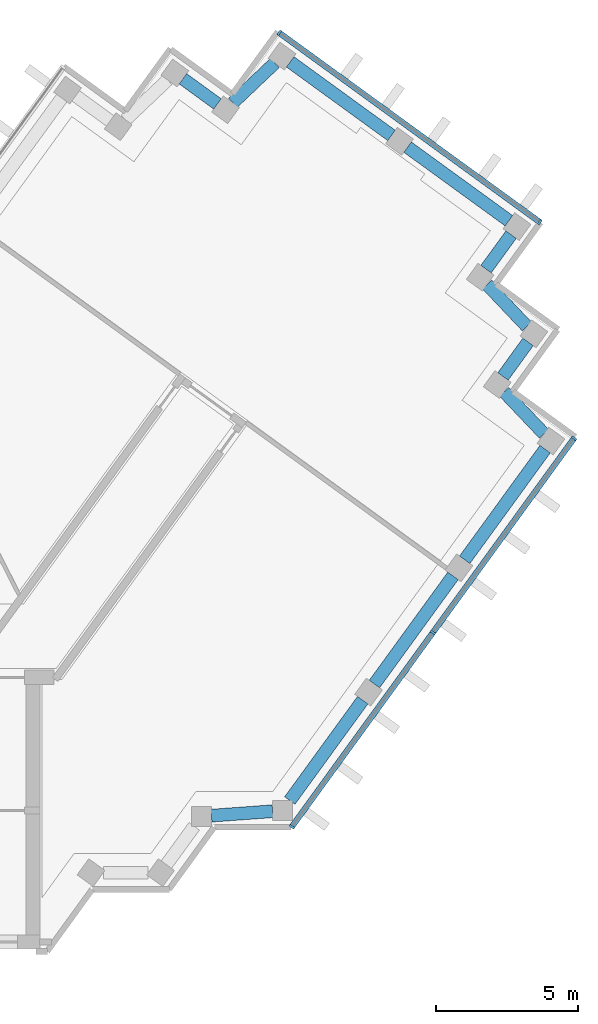
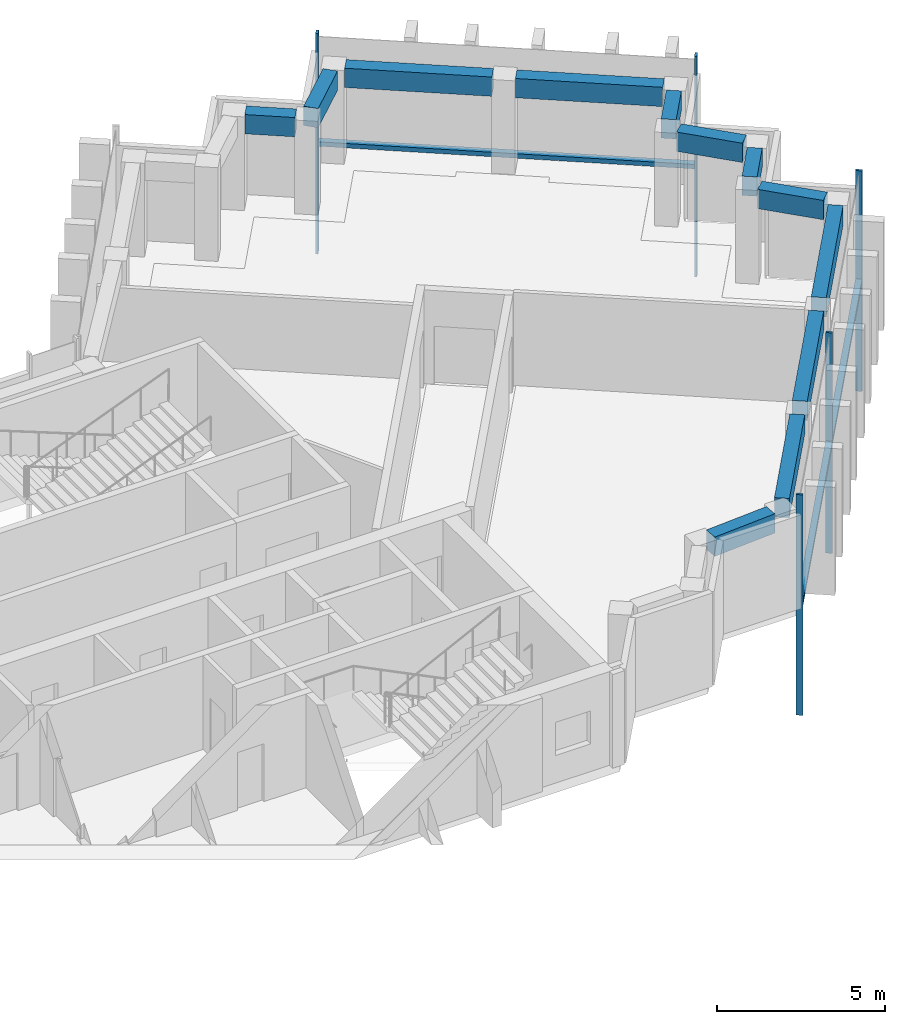
# One storey, part 6 of 13: 12 beams, 8 members, 2 elements without a shape of their own.
"""IFC4 building model written with IfcOpenShell, lengths in metres."""

from ifc_helpers import new_model, si_unit, direction, frame, origin, origin_2d, place, context, subcontext, project, spatial, rectangle, extrude, material, material_profile, profile_set, type_object, element, aggregate, save


model = new_model("IFC4")

# Units and contexts
model_context = context("Model", 3, precision=1e-05, world=origin(), true_north=direction((0.0, 1.0)))
body_context = subcontext(model_context, "Body", "Model", "MODEL_VIEW")
ifc_project = project(units=[si_unit("LENGTHUNIT", "METRE"), si_unit("AREAUNIT", "SQUARE_METRE"), si_unit("VOLUMEUNIT", "CUBIC_METRE"), si_unit("PLANEANGLEUNIT", "RADIAN"), si_unit("MASSUNIT", "GRAM", prefix="KILO")], contexts=[model_context])

# Site, building, storey
site_placement = place(None, origin())
site = spatial("IfcSite", under=ifc_project, at=site_placement, CompositionType="ELEMENT")
building_placement = place(site_placement, origin())
building = spatial("IfcBuilding", under=site, at=building_placement, Name="Quipu Civic Tower", CompositionType="ELEMENT")
storey_placement = place(building_placement, frame((0.0, 0.0, 297.0)))
storey = spatial("IfcBuildingStorey", under=building, at=storey_placement, Name="L69", CompositionType="ELEMENT", Elevation=297.0)

# Curtain wall, members
ifc_material_1 = material(Name="Insulated glass unit", Category="glass")
curtain_wall_type = type_object("IfcCurtainWallType", Name="Office curtain wall CW1", PredefinedType="NOTDEFINED", material=ifc_material_1)
curtain_wall_1_placement = place(storey_placement, origin())
curtain_wall_1 = element("IfcCurtainWall", 1, at=curtain_wall_1_placement, inside=storey, type_object=curtain_wall_type, Name="Office curtain wall CW1 L68 run 23", PredefinedType="NOTDEFINED")
ifc_material_2 = material(Name="Anodised aluminium", Category="aluminium")
ifc_material_profile_1 = material_profile(ifc_material_2, rectangle(XDim=0.199951171875, YDim=0.080078125, at=origin_2d()), Name="RECT 200x80")
ifc_profile_set_1 = profile_set([ifc_material_profile_1], Name="Anodised aluminium")
member_type_1 = type_object("IfcMemberType", Name="Mullion CW1", PredefinedType="MULLION", material=ifc_profile_set_1)
member_1_placement = place(storey_placement, frame((28.853271484375, -6.698974609375, -3.919921875), z_axis=(0.0, 0.0, 1.0), x_axis=(-0.809016278475, 0.587786237643, 0.0)))
member_1 = element("IfcMember", 2, at=member_1_placement, type_object=member_type_1, Name="CW1 mullion 1", PredefinedType="MULLION", context=body_context, shape_type="SweptSolid", body=[
    extrude(rectangle(XDim=0.199951171875, YDim=0.080078125, at=origin_2d()), origin(), (0.0, 0.0, 1.0), 8.0),
])
member_2_placement = place(storey_placement, frame((33.81298828125, 0.12744140625, -3.919921875), z_axis=(0.0, 0.0, 1.0), x_axis=(-0.809016278475, 0.587786237643, 0.0)))
member_2 = element("IfcMember", 3, at=member_2_placement, type_object=member_type_1, Name="CW1 mullion 2", PredefinedType="MULLION", context=body_context, shape_type="SweptSolid", body=[
    extrude(rectangle(XDim=0.199951171875, YDim=0.080078125, at=origin_2d()), origin(), (0.0, 0.0, 1.0), 8.0),
])
member_3_placement = place(storey_placement, frame((38.772705078125, 6.953857421875, -3.919921875), z_axis=(0.0, 0.0, 1.0), x_axis=(-0.809016278475, 0.587786237643, 0.0)))
member_3 = element("IfcMember", 4, at=member_3_placement, type_object=member_type_1, Name="CW1 mullion 3", PredefinedType="MULLION", context=body_context, shape_type="SweptSolid", body=[
    extrude(rectangle(XDim=0.199951171875, YDim=0.080078125, at=origin_2d()), origin(), (0.0, 0.0, 1.0), 8.0),
])

curtain_wall_2_placement = place(storey_placement, origin())
curtain_wall_2 = element("IfcCurtainWall", 5, at=curtain_wall_2_placement, inside=storey, type_object=curtain_wall_type, Name="Office curtain wall CW1 L68 run 28", PredefinedType="NOTDEFINED")
member_4_placement = place(storey_placement, frame((37.569091796875, 14.552490234375, -3.919921875), z_axis=(0.0, 0.0, 1.0), x_axis=(-0.587787753918, -0.809015176832, 0.0)))
member_4 = element("IfcMember", 6, at=member_4_placement, type_object=member_type_1, Name="CW1 mullion 1", PredefinedType="MULLION", context=body_context, shape_type="SweptSolid", body=[
    extrude(rectangle(XDim=0.199951171875, YDim=0.080078125, at=origin_2d()), origin(), (0.0, 0.0, 1.0), 8.0),
])
member_5_placement = place(storey_placement, frame((28.4111328125, 21.206298828125, -3.919921875), z_axis=(0.0, 0.0, 1.0), x_axis=(-0.587787753918, -0.809015176832, 0.0)))
member_5 = element("IfcMember", 7, at=member_5_placement, type_object=member_type_1, Name="CW1 mullion 2", PredefinedType="MULLION", context=body_context, shape_type="SweptSolid", body=[
    extrude(rectangle(XDim=0.199951171875, YDim=0.080078125, at=origin_2d()), origin(), (0.0, 0.0, 1.0), 8.0),
])

# Beams
ifc_material_3 = material(Name="Concrete C50/60", Category="concrete")
ifc_material_profile_2 = material_profile(ifc_material_3, rectangle(XDim=0.449951171875, YDim=0.699951171875, at=origin_2d()), Name="RC450x700")
ifc_profile_set_2 = profile_set([ifc_material_profile_2], Name="Concrete C50/60")
beam_type = type_object("IfcBeamType", Name="Spandrel beam RC 450x700 C50/60", PredefinedType="SPANDREL", material=ifc_profile_set_2)
beam_1_placement = place(storey_placement, frame((26.0244140625, -6.3115234375, 3.050048828125), z_axis=(0.997379352029, 0.072349347934, 0.0), x_axis=(-0.072349347934, 0.997379352029, 0.0)))
element("IfcBeam", 8, at=beam_1_placement, inside=storey, type_object=beam_type, Name="Spandrel beam L69 J-Eo.3 to J-Eo.4", PredefinedType="SPANDREL", context=body_context, shape_type="SweptSolid", body=[
    extrude(rectangle(XDim=0.449951171875, YDim=0.699951171875, at=origin_2d()), origin(), (0.0, 0.0, 1.0), 2.15625),
])
beam_2_placement = place(storey_placement, frame((28.779296875, -5.780029296875, 3.050048828125), z_axis=(0.58777550284, 0.809024077677, 0.0), x_axis=(-0.809024077677, 0.58777550284, 0.0)))
element("IfcBeam", 9, at=beam_2_placement, inside=storey, type_object=beam_type, Name="Spandrel beam L69 J-Eo.4 to E-OUT-01", PredefinedType="SPANDREL", context=body_context, shape_type="SweptSolid", body=[
    extrude(rectangle(XDim=0.449951171875, YDim=0.699951171875, at=origin_2d()), origin(), (0.0, 0.0, 1.0), 4.36083984375),
])
beam_3_placement = place(storey_placement, frame((31.75390625, -1.685546875, 3.050048828125), z_axis=(0.587788656305, 0.809014521204, 0.0), x_axis=(-0.809014521204, 0.587788656305, 0.0)))
element("IfcBeam", 10, at=beam_3_placement, inside=storey, type_object=beam_type, Name="Spandrel beam L69 E-OUT-01 to E-OUT-02", PredefinedType="SPANDREL", context=body_context, shape_type="SweptSolid", body=[
    extrude(rectangle(XDim=0.449951171875, YDim=0.699951171875, at=origin_2d()), origin(), (0.0, 0.0, 1.0), 4.7001953125),
])
beam_4_placement = place(storey_placement, frame((34.927978515625, 2.68310546875, 3.050048828125), z_axis=(0.587905928359, 0.808929304328, 0.0), x_axis=(-0.808929304328, 0.587905928359, 0.0)))
element("IfcBeam", 11, at=beam_4_placement, inside=storey, type_object=beam_type, Name="Spandrel beam L69 E-OUT-02 to T-Eo.0-E22", PredefinedType="SPANDREL", context=body_context, shape_type="SweptSolid", body=[
    extrude(rectangle(XDim=0.449951171875, YDim=0.699951171875, at=origin_2d()), origin(), (0.0, 0.0, 1.0), 4.80712890625),
])
beam_5_placement = place(storey_placement, frame((37.71484375, 7.11279296875, 3.050048828125), z_axis=(-0.689175330605, 0.724594620244, 0.0), x_axis=(-0.724594620244, -0.689175330605, 0.0)))
element("IfcBeam", 12, at=beam_5_placement, inside=storey, type_object=beam_type, Name="Spandrel beam L69 T-Eo.0-E22 to T-Eo.1-E22", PredefinedType="SPANDREL", context=body_context, shape_type="SweptSolid", body=[
    extrude(rectangle(XDim=0.449951171875, YDim=0.699951171875, at=origin_2d()), origin(), (0.0, 0.0, 1.0), 2.033447265625),
])
beam_6_placement = place(storey_placement, frame((36.273681640625, 9.12744140625, 3.050048828125), z_axis=(0.587164895097, 0.809467347066, 0.0), x_axis=(-0.809467347066, 0.587164895097, 0.0)))
element("IfcBeam", 13, at=beam_6_placement, inside=storey, type_object=beam_type, Name="Spandrel beam L69 T-Eo.1-E22 to T-Eo.2-E22", PredefinedType="SPANDREL", context=body_context, shape_type="SweptSolid", body=[
    extrude(rectangle(XDim=0.449951171875, YDim=0.699951171875, at=origin_2d()), origin(), (0.0, 0.0, 1.0), 1.500244140625),
])
beam_7_placement = place(storey_placement, frame((37.114990234375, 10.88330078125, 3.050048828125), z_axis=(-0.688247466856, 0.725475998477, 0.0), x_axis=(-0.725475998477, -0.688247466856, 0.0)))
element("IfcBeam", 14, at=beam_7_placement, inside=storey, type_object=beam_type, Name="Spandrel beam L69 T-Eo.2-E22 to T-Eo.3-E22", PredefinedType="SPANDREL", context=body_context, shape_type="SweptSolid", body=[
    extrude(rectangle(XDim=0.449951171875, YDim=0.699951171875, at=origin_2d()), origin(), (0.0, 0.0, 1.0), 2.032958984375),
])
beam_8_placement = place(storey_placement, frame((35.6767578125, 12.8994140625, 3.050048828125), z_axis=(0.588345920092, 0.808609348394, 0.0), x_axis=(-0.808609348394, 0.588345920092, 0.0)))
element("IfcBeam", 15, at=beam_8_placement, inside=storey, type_object=beam_type, Name="Spandrel beam L69 T-Eo.3-E22 to T-Eo.4-E22", PredefinedType="SPANDREL", context=body_context, shape_type="SweptSolid", body=[
    extrude(rectangle(XDim=0.449951171875, YDim=0.699951171875, at=origin_2d()), origin(), (0.0, 0.0, 1.0), 1.499755859375),
])
beam_9_placement = place(storey_placement, frame((36.481689453125, 14.6005859375, 3.050048828125), z_axis=(-0.809117270763, 0.587647208921, 0.0), x_axis=(-0.587647208921, -0.809117270763, 0.0)))
element("IfcBeam", 16, at=beam_9_placement, inside=storey, type_object=beam_type, Name="Spandrel beam L69 T-Eo.4-E22 to TIP-E-01-E22", PredefinedType="SPANDREL", context=body_context, shape_type="SweptSolid", body=[
    extrude(rectangle(XDim=0.449951171875, YDim=0.699951171875, at=origin_2d()), origin(), (0.0, 0.0, 1.0), 4.40185546875),
])
beam_10_placement = place(storey_placement, frame((32.353759765625, 17.5986328125, 3.050048828125), z_axis=(-0.809146152767, 0.587607439931, 0.0), x_axis=(-0.587607439931, -0.809146152767, 0.0)))
element("IfcBeam", 17, at=beam_10_placement, inside=storey, type_object=beam_type, Name="Spandrel beam L69 TIP-E-01-E22 to T-Ei.0-E22", PredefinedType="SPANDREL", context=body_context, shape_type="SweptSolid", body=[
    extrude(rectangle(XDim=0.449951171875, YDim=0.699951171875, at=origin_2d()), origin(), (0.0, 0.0, 1.0), 4.400390625),
])
beam_11_placement = place(storey_placement, frame((28.251708984375, 20.14501953125, 3.050048828125), z_axis=(-0.725359138958, -0.688370626574, 0.0), x_axis=(0.688370626574, -0.725359138958, 0.0)))
element("IfcBeam", 18, at=beam_11_placement, inside=storey, type_object=beam_type, Name="Spandrel beam L69 T-Ei.0-E22 to T-Ei.1-E22", PredefinedType="SPANDREL", context=body_context, shape_type="SweptSolid", body=[
    extrude(rectangle(XDim=0.449951171875, YDim=0.699951171875, at=origin_2d()), origin(), (0.0, 0.0, 1.0), 2.032958984375),
])
beam_12_placement = place(storey_placement, frame((26.236083984375, 18.70654296875, 3.050048828125), z_axis=(-0.808644589435, 0.588297482553, 0.0), x_axis=(-0.588297482553, -0.808644589435, 0.0)))
element("IfcBeam", 19, at=beam_12_placement, inside=storey, type_object=beam_type, Name="Spandrel beam L69 T-Ei.1-E22 to T-Ei.2-E22", PredefinedType="SPANDREL", context=body_context, shape_type="SweptSolid", body=[
    extrude(rectangle(XDim=0.449951171875, YDim=0.699951171875, at=origin_2d()), origin(), (0.0, 0.0, 1.0), 1.500244140625),
])

# Member
ifc_material_4 = material(Name="Anodised aluminium", Category="aluminium")
ifc_material_profile_3 = material_profile(ifc_material_4, rectangle(XDim=0.199951171875, YDim=0.159912109375, at=origin_2d()), Name="RECT 200x160")
ifc_profile_set_3 = profile_set([ifc_material_profile_3], Name="Anodised aluminium")
member_type_2 = type_object("IfcMemberType", Name="Transom CW1", PredefinedType="USERDEFINED", material=ifc_profile_set_3)
member_6_placement = place(storey_placement, frame((28.876708984375, -6.66650390625, 0.080078125), z_axis=(0.587812107925, 0.808997481935, 0.0), x_axis=(-0.808997481935, 0.587812107925, 0.0)))
member_6 = element("IfcMember", 20, at=member_6_placement, type_object=member_type_2, Name="CW1 transom 1.2", ObjectType="TRANSOM", PredefinedType="USERDEFINED", context=body_context, shape_type="SweptSolid", body=[
    extrude(rectangle(XDim=0.199951171875, YDim=0.159912109375, at=origin_2d()), origin(), (0.0, 0.0, 1.0), 8.35791015625),
])

member_7_placement = place(storey_placement, frame((33.83642578125, 0.15966796875, 0.080078125), z_axis=(0.587779098815, 0.809021465102, 0.0), x_axis=(-0.809021465102, 0.587779098815, 0.0)))
member_7 = element("IfcMember", 21, at=member_7_placement, type_object=member_type_2, Name="CW1 transom 2.2", ObjectType="TRANSOM", PredefinedType="USERDEFINED", context=body_context, shape_type="SweptSolid", body=[
    extrude(rectangle(XDim=0.199951171875, YDim=0.159912109375, at=origin_2d()), origin(), (0.0, 0.0, 1.0), 8.35791015625),
])

aggregate(curtain_wall_1, [member_1, member_2, member_3, member_6, member_7])

member_8_placement = place(storey_placement, frame((37.536865234375, 14.575927734375, 0.080078125), z_axis=(-0.809022463805, 0.587777724194, 0.0), x_axis=(-0.587777724194, -0.809022463805, 0.0)))
member_8 = element("IfcMember", 22, at=member_8_placement, type_object=member_type_2, Name="CW1 transom 1.2", ObjectType="TRANSOM", PredefinedType="USERDEFINED", context=body_context, shape_type="SweptSolid", body=[
    extrude(rectangle(XDim=0.199951171875, YDim=0.159912109375, at=origin_2d()), origin(), (0.0, 0.0, 1.0), 11.240234375),
])

aggregate(curtain_wall_2, [member_4, member_5, member_8])

save(model, "model.ifc")
